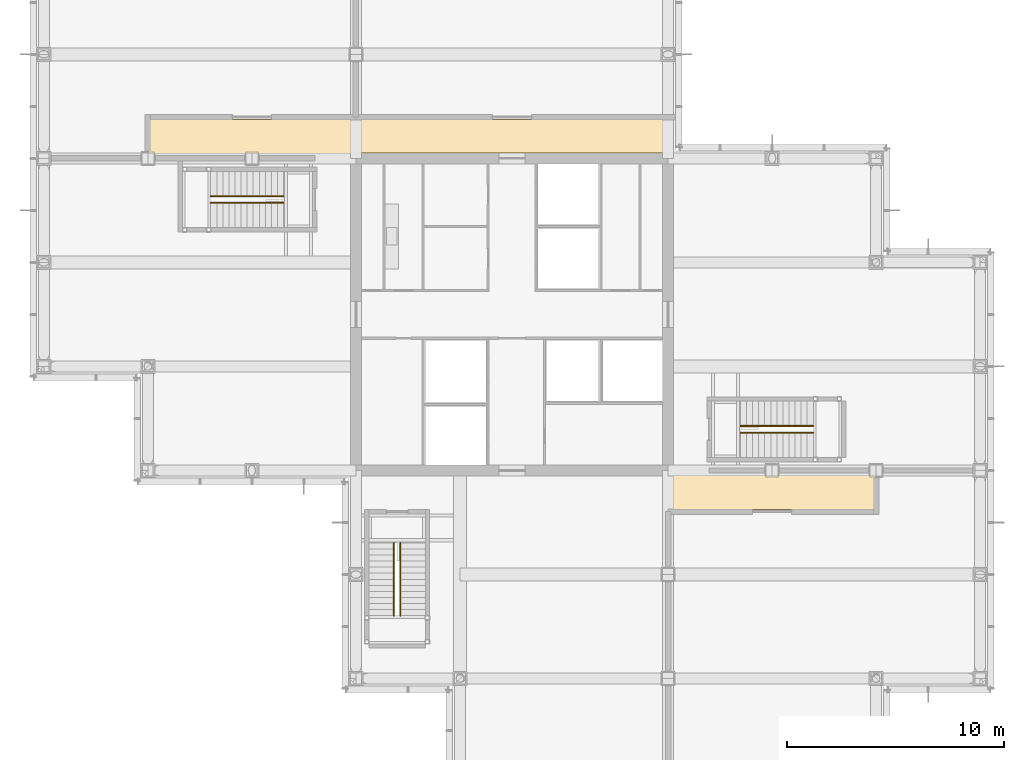
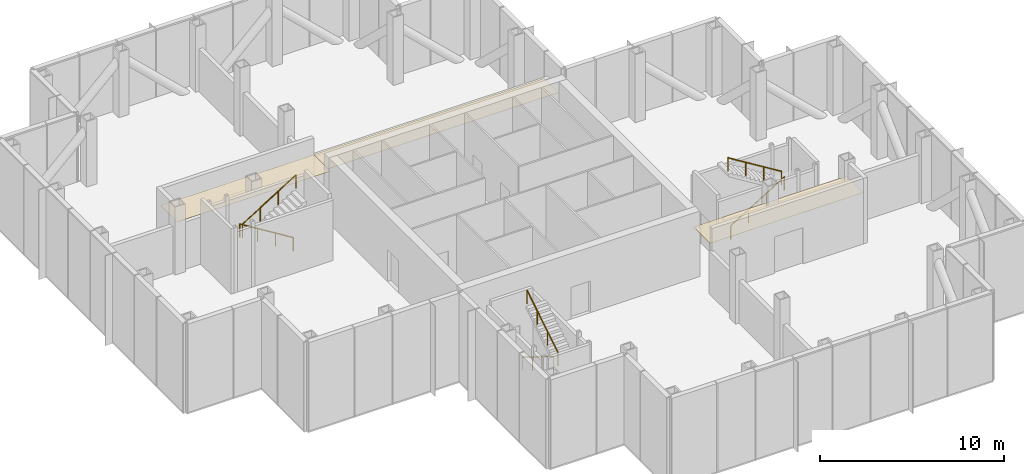
# One storey, part 15 of 17: 6 railings, 3 coverings.
"""IFC4 building model written with IfcOpenShell, lengths in metres."""

from ifc_helpers import new_model, si_unit, direction, frame, origin, origin_2d, place, context, subcontext, project, spatial, polyline, circle, outline, extrude, material, layer, layer_set, type_object, element, save


model = new_model("IFC4")

# Units and contexts
model_context = context("Model", 3, precision=1e-05, world=origin(), true_north=direction((0.0, 1.0)))
body_context = subcontext(model_context, "Body", "Model", "MODEL_VIEW")
ifc_project = project(units=[si_unit("LENGTHUNIT", "METRE"), si_unit("AREAUNIT", "SQUARE_METRE"), si_unit("VOLUMEUNIT", "CUBIC_METRE"), si_unit("PLANEANGLEUNIT", "RADIAN"), si_unit("MASSUNIT", "GRAM", prefix="KILO")], contexts=[model_context])

# Site, building, storey
site_placement = place(None, origin())
site = spatial("IfcSite", under=ifc_project, at=site_placement, CompositionType="ELEMENT")
building_placement = place(site_placement, origin())
building = spatial("IfcBuilding", under=site, at=building_placement, Name="Kvirike Care Tower", CompositionType="ELEMENT")
storey_placement = place(building_placement, frame((0.0, 0.0, 136.5)))
storey = spatial("IfcBuildingStorey", under=building, at=storey_placement, Name="L37", CompositionType="ELEMENT", Elevation=136.5)

# Coverings
ifc_material_1 = material(Name="Perforated metal ceiling tile", Category="aluminium")
ifc_layer = layer(ifc_material_1, 0.014892578125)
ifc_layer_set = layer_set([ifc_layer], Name="CORRIDOR CEILING 15")
covering_type = type_object("IfcCoveringType", Name="CORRIDOR CEILING 15", PredefinedType="CEILING", material=ifc_layer_set)
covering_1_placement = place(storey_placement, frame((0.0, 0.0, 3.199951171875)))
element("IfcCovering", 1, at=covering_1_placement, inside=storey, type_object=covering_type, Name="Corridor ceiling L37", PredefinedType="CEILING", context=body_context, shape_type="SweptSolid", body=[
    extrude(outline(polyline([(14.39990234375, 45.0), (14.39990234375, 43.199951171875), (4.800048828125, 43.199951171875), (4.800048828125, 45.0), (14.39990234375, 45.0)])), origin(), (0.0, 0.0, 1.0), 0.01513671875),
])
covering_2_placement = place(storey_placement, frame((0.0, 0.0, 3.199951171875)))
element("IfcCovering", 2, at=covering_2_placement, inside=storey, type_object=covering_type, Name="Corridor ceiling L37", PredefinedType="CEILING", context=body_context, shape_type="SweptSolid", body=[
    extrude(outline(polyline([(28.800048828125, 45.0), (28.800048828125, 43.449951171875), (14.39990234375, 43.449951171875), (14.39990234375, 45.0), (28.800048828125, 45.0)])), origin(), (0.0, 0.0, 1.0), 0.01513671875),
])
covering_3_placement = place(storey_placement, frame((0.0, 0.0, 3.199951171875)))
element("IfcCovering", 3, at=covering_3_placement, inside=storey, type_object=covering_type, Name="Corridor ceiling L37", PredefinedType="CEILING", context=body_context, shape_type="SweptSolid", body=[
    extrude(outline(polyline([(28.800048828125, 27.0), (28.800048828125, 28.800048828125), (38.39990234375, 28.800048828125), (38.39990234375, 27.0), (28.800048828125, 27.0)])), origin(), (0.0, 0.0, 1.0), 0.01513671875),
])

# Railings
ifc_material_2 = material(Name="Stainless steel handrail", Category="steel")
railing_type = type_object("IfcRailingType", Name="STAIR HANDRAIL 900", PredefinedType="HANDRAIL", material=ifc_material_2)
railing_1_placement = place(storey_placement, frame((11.06005859375, 41.449951171875, 0.173095703125)))
element("IfcRailing", 4, at=railing_1_placement, inside=storey, type_object=railing_type, Name="Stair 1 handrail L37 flight 1", PredefinedType="HANDRAIL", context=body_context, shape_type="SweptSolid", body=[
    extrude(circle(Radius=0.02490234375, at=origin_2d()), frame((0.0, 0.0, 0.875), z_axis=(-0.850623216509, 0.0, 0.525775754039), x_axis=(0.0, -1.0, 0.0)), (0.0, 0.0, 1.0), 3.9501953125),
    extrude(circle(Radius=0.02001953125, at=origin_2d()), origin(), (0.0, 0.0, 1.0), 0.849853515625),
    extrude(circle(Radius=0.02001953125, at=origin_2d()), frame((-1.1201171875, 0.0, 0.6923828125)), (0.0, 0.0, 1.0), 0.849853515625),
    extrude(circle(Radius=0.02001953125, at=origin_2d()), frame((-2.239990234375, 0.0, 1.384521484375)), (0.0, 0.0, 1.0), 0.849853515625),
    extrude(circle(Radius=0.02001953125, at=origin_2d()), frame((-3.360107421875, 0.0, 2.076904296875)), (0.0, 0.0, 1.0), 0.849853515625),
])
for number, where, name in (
    (5, (7.699951171875, 41.14990234375, 2.423095703125), "Stair 1 handrail L37 flight 2"),
    (6, (32.139892578125, 30.550048828125, 0.173095703125), "Stair 2 handrail L37 flight 1"),
):
    element("IfcRailing", number, at=place(storey_placement, frame(where)), inside=storey, type_object=railing_type, Name=name, PredefinedType="HANDRAIL", context=body_context, shape_type="SweptSolid", body=[
        extrude(circle(Radius=0.02490234375, at=origin_2d()), frame((0.0, 0.0, 0.875), z_axis=(0.850623216509, 0.0, 0.525775754039), x_axis=(0.0, 1.0, 0.0)), (0.0, 0.0, 1.0), 3.9501953125),
        extrude(circle(Radius=0.02001953125, at=origin_2d()), origin(), (0.0, 0.0, 1.0), 0.849853515625),
        extrude(circle(Radius=0.02001953125, at=origin_2d()), frame((1.1201171875, 0.0, 0.6923828125)), (0.0, 0.0, 1.0), 0.849853515625),
        extrude(circle(Radius=0.02001953125, at=origin_2d()), frame((2.239990234375, 0.0, 1.384521484375)), (0.0, 0.0, 1.0), 0.849853515625),
        extrude(circle(Radius=0.02001953125, at=origin_2d()), frame((3.360107421875, 0.0, 2.076904296875)), (0.0, 0.0, 1.0), 0.849853515625),
    ])
railing_2_placement = place(storey_placement, frame((35.5, 30.85009765625, 2.423095703125)))
element("IfcRailing", 7, at=railing_2_placement, inside=storey, type_object=railing_type, Name="Stair 2 handrail L37 flight 2", PredefinedType="HANDRAIL", context=body_context, shape_type="SweptSolid", body=[
    extrude(circle(Radius=0.02490234375, at=origin_2d()), frame((0.0, 0.0, 0.875), z_axis=(-0.850623216509, 0.0, 0.525775754039), x_axis=(0.0, -1.0, 0.0)), (0.0, 0.0, 1.0), 3.9501953125),
    extrude(circle(Radius=0.02001953125, at=origin_2d()), origin(), (0.0, 0.0, 1.0), 0.849853515625),
    extrude(circle(Radius=0.02001953125, at=origin_2d()), frame((-1.1201171875, 0.0, 0.6923828125)), (0.0, 0.0, 1.0), 0.849853515625),
    extrude(circle(Radius=0.02001953125, at=origin_2d()), frame((-2.239990234375, 0.0, 1.384521484375)), (0.0, 0.0, 1.0), 0.849853515625),
    extrude(circle(Radius=0.02001953125, at=origin_2d()), frame((-3.360107421875, 0.0, 2.076904296875)), (0.0, 0.0, 1.0), 0.849853515625),
])
railing_3_placement = place(storey_placement, frame((16.14990234375, 25.4599609375, 0.173095703125)))
element("IfcRailing", 8, at=railing_3_placement, inside=storey, type_object=railing_type, Name="Stair 5 handrail L37 flight 1", PredefinedType="HANDRAIL", context=body_context, shape_type="SweptSolid", body=[
    extrude(circle(Radius=0.02490234375, at=origin_2d()), frame((0.0, 0.0, 0.875), z_axis=(0.0, -0.850606129759, 0.525803396734), x_axis=(1.0, 0.0, 0.0)), (0.0, 0.0, 1.0), 3.949951171875),
    extrude(circle(Radius=0.02001953125, at=origin_2d()), origin(), (0.0, 0.0, 1.0), 0.849853515625),
    extrude(circle(Radius=0.02001953125, at=origin_2d()), frame((0.0, -1.119873046875, 0.6923828125)), (0.0, 0.0, 1.0), 0.849853515625),
    extrude(circle(Radius=0.02001953125, at=origin_2d()), frame((0.0, -2.239990234375, 1.384521484375)), (0.0, 0.0, 1.0), 0.849853515625),
    extrude(circle(Radius=0.02001953125, at=origin_2d()), frame((0.0, -3.35986328125, 2.076904296875)), (0.0, 0.0, 1.0), 0.849853515625),
])
railing_4_placement = place(storey_placement, frame((16.449951171875, 22.10009765625, 2.423095703125)))
element("IfcRailing", 9, at=railing_4_placement, inside=storey, type_object=railing_type, Name="Stair 5 handrail L37 flight 2", PredefinedType="HANDRAIL", context=body_context, shape_type="SweptSolid", body=[
    extrude(circle(Radius=0.02490234375, at=origin_2d()), frame((0.0, 0.0, 0.875), z_axis=(0.0, 0.850606129759, 0.525803396734), x_axis=(-1.0, 0.0, 0.0)), (0.0, 0.0, 1.0), 3.949951171875),
    extrude(circle(Radius=0.02001953125, at=origin_2d()), origin(), (0.0, 0.0, 1.0), 0.849853515625),
    extrude(circle(Radius=0.02001953125, at=origin_2d()), frame((0.0, 1.119873046875, 0.6923828125)), (0.0, 0.0, 1.0), 0.849853515625),
    extrude(circle(Radius=0.02001953125, at=origin_2d()), frame((0.0, 2.239990234375, 1.384521484375)), (0.0, 0.0, 1.0), 0.849853515625),
    extrude(circle(Radius=0.02001953125, at=origin_2d()), frame((0.0, 3.35986328125, 2.076904296875)), (0.0, 0.0, 1.0), 0.849853515625),
])

save(model, "model.ifc")
